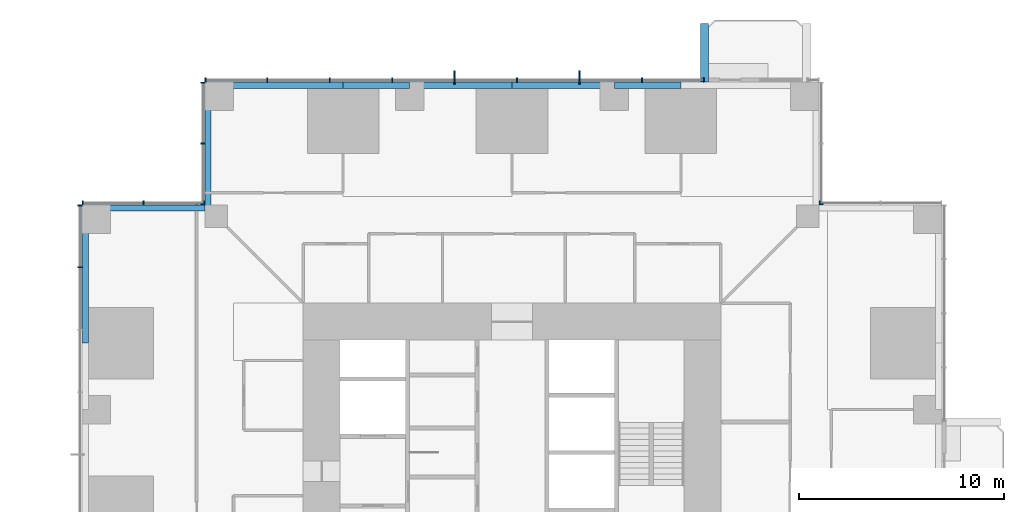
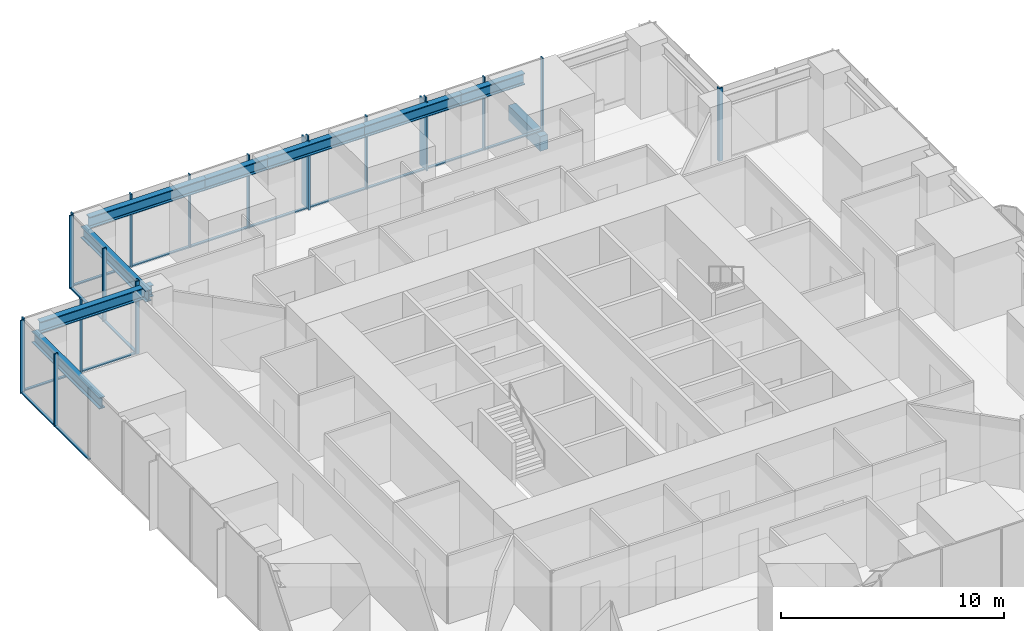
# One storey, part 5 of 18: 35 members, 9 beams, 6 elements without a shape of their own.
"""IFC4 building model written with IfcOpenShell, lengths in metres."""

import ifcopenshell
import ifcopenshell.guid

model = None  # the IFC model being written
_history = None  # IfcOwnerHistory: only IFC2X3 demands one
_inside = {}  # id of a spatial element -> (the spatial element, [elements in it])
_under = {}  # id of a project, library or spatial element -> (it, [spatial elements below it])
_declared = {}  # id of a project -> (the project, [libraries it declares])
_typed = {}  # id of a type object -> (the type object, [elements of that type])
_made_of = {}  # id of a material, layer set ... -> (it, [elements and type objects made of it])


def new_model(schema):
    """Start an empty IFC model of exactly this schema.

    Asked for "IFC4X3", IfcOpenShell would pick the latest addendum, in which some entities
    have other attributes; the version numbers below select the first issue.
    IFC2X3 requires an IfcOwnerHistory on every rooted entity: one is made here for all.
    """
    global model, _history
    if schema == "IFC4X3":
        model = ifcopenshell.file(schema_version=(4, 3, 0, 0))
    else:
        model = ifcopenshell.file(schema=schema)
    _inside.clear()
    _under.clear()
    _declared.clear()
    _typed.clear()
    _made_of.clear()
    _history = None
    if model.schema == "IFC2X3":
        org = make("IfcOrganization", Name="unknown")
        user = make(
            "IfcPersonAndOrganization",
            ThePerson=make("IfcPerson", FamilyName="unknown"),
            TheOrganization=org,
        )
        app = make(
            "IfcApplication",
            ApplicationDeveloper=org,
            Version="unknown",
            ApplicationFullName="unknown",
            ApplicationIdentifier="unknown",
        )
        _history = make(
            "IfcOwnerHistory",
            OwningUser=user,
            OwningApplication=app,
            ChangeAction="ADDED",
            CreationDate=0,
        )
    return model


def make(cls, **values):
    """One entity of the class cls with the attributes given. An attribute that is None is left unset."""
    return model.create_entity(
        cls, **{name: value for name, value in values.items() if value is not None}
    )


def rooted(cls, **values):
    """An entity with a GlobalId (a new one), such as an element, a storey or a relation."""
    return make(cls, GlobalId=ifcopenshell.guid.new(), OwnerHistory=_history, **values)


def si_unit(unit_type, name, prefix=None):
    """IfcSIUnit, for example si_unit("LENGTHUNIT", "METRE", prefix="MILLI")."""
    return make("IfcSIUnit", UnitType=unit_type, Prefix=prefix, Name=name)


def assignment(units):
    """IfcUnitAssignment: the units of a project."""
    return None if units is None else make("IfcUnitAssignment", Units=units)


def point(xyz):
    """IfcCartesianPoint."""
    return None if xyz is None else make("IfcCartesianPoint", Coordinates=xyz)


def direction(xyz):
    """IfcDirection."""
    return None if xyz is None else make("IfcDirection", DirectionRatios=xyz)


def frame(location, z_axis=None, x_axis=None):
    """IfcAxis2Placement3D, a coordinate frame: its origin and axes. An axis left out is left unset."""
    return make(
        "IfcAxis2Placement3D",
        Location=point(location),
        Axis=direction(z_axis),
        RefDirection=direction(x_axis),
    )


def frame_2d(location, x_axis=None):
    """IfcAxis2Placement2D, a coordinate frame in the plane: its origin and x axis."""
    return make(
        "IfcAxis2Placement2D", Location=point(location), RefDirection=direction(x_axis)
    )


def origin():
    """The frame at (0, 0, 0) with its axes left unset."""
    return frame((0.0, 0.0, 0.0))


def origin_2d():
    """The frame at (0, 0) in the plane with its x axis left unset."""
    return frame_2d((0.0, 0.0))


def place(relative_to, where):
    """IfcLocalPlacement: puts the frame where relative to a parent placement (None: the world)."""
    return make(
        "IfcLocalPlacement", PlacementRelTo=relative_to, RelativePlacement=where
    )


def context(
    kind, dimensions, precision=None, world=None, true_north=None, identifier=None
):
    """IfcGeometricRepresentationContext, for example the 3D "Model" context."""
    return make(
        "IfcGeometricRepresentationContext",
        ContextIdentifier=identifier,
        ContextType=kind,
        CoordinateSpaceDimension=dimensions,
        Precision=precision,
        WorldCoordinateSystem=world,
        TrueNorth=true_north,
    )


def subcontext(parent, identifier, kind, view, scale=None):
    """IfcGeometricRepresentationSubContext, for example "Body" below "Model"."""
    return make(
        "IfcGeometricRepresentationSubContext",
        ContextIdentifier=identifier,
        ContextType=kind,
        ParentContext=parent,
        TargetScale=scale,
        TargetView=view,
    )


def project(units=None, contexts=None):
    """IfcProject with its units and contexts."""
    return rooted(
        "IfcProject",
        Name="project",
        RepresentationContexts=contexts,
        UnitsInContext=assignment(units),
    )


def spatial(cls, under=None, at=None, **own):
    """A site, building, storey or space (cls), placed at a placement, below another one or the project."""
    s = rooted(cls, ObjectPlacement=at, **own)
    if under is not None:
        _under.setdefault(under.id(), (under, []))[1].append(s)
    return s


def profile(cls, at=None, kind="AREA", **sizes):
    """A parametric profile (cls). Its sizes go by their IFC names, for example OverallWidth=200.0."""
    return make(cls, ProfileType=kind, Position=at, **sizes)


def rectangle(**sizes):
    """IfcRectangleProfileDef."""
    return profile("IfcRectangleProfileDef", **sizes)


def i_section(**sizes):
    """IfcIShapeProfileDef."""
    return profile("IfcIShapeProfileDef", **sizes)


def extrude(swept, where, along, depth):
    """IfcExtrudedAreaSolid: the profile swept, set in the frame where, extruded along a direction by depth."""
    return make(
        "IfcExtrudedAreaSolid",
        SweptArea=swept,
        Position=where,
        ExtrudedDirection=direction(along),
        Depth=depth,
    )


def shape(context_of_items, identifier, shape_type, items):
    """IfcShapeRepresentation: the items that make up one representation, for example the "Body"."""
    return make(
        "IfcShapeRepresentation",
        ContextOfItems=context_of_items,
        RepresentationIdentifier=identifier,
        RepresentationType=shape_type,
        Items=items,
    )


def material(Name=None, Category=None):
    """IfcMaterial."""
    return make("IfcMaterial", Name=Name, Category=Category)


def material_profile(
    of_material, cross_section, Name=None, Category=None, Priority=None
):
    """IfcMaterialProfile: a cross section and its material."""
    return make(
        "IfcMaterialProfile",
        Name=Name,
        Material=of_material,
        Profile=cross_section,
        Priority=Priority,
        Category=Category,
    )


def profile_set(profiles, Name=None, composite=None):
    """IfcMaterialProfileSet."""
    return make(
        "IfcMaterialProfileSet",
        Name=Name,
        MaterialProfiles=profiles,
        CompositeProfile=composite,
    )


def made_of(thing, what):
    """Note that an element or type object is made of a material, layer set ...; save() writes the relation."""
    if what is not None:
        _made_of.setdefault(what.id(), (what, []))[1].append(thing)
    return thing


def type_object(cls, material=None, **own):
    """A type object (cls), such as IfcWallType, which elements share."""
    return made_of(rooted(cls, **own), material)


def element(
    cls,
    number,
    at=None,
    inside=None,
    cuts=None,
    type_object=None,
    material=None,
    context=None,
    identifier="Body",
    shape_type=None,
    held_by="IfcProductDefinitionShape",
    body=None,
    shapes=None,
    **own,
):
    """One element of the class cls, such as IfcWall. Its Tag is "e" and its number.

    at: its placement. inside: the storey or other place that contains it. cuts: it is an
    opening in that element (IfcRelVoidsElement). A single representation is given by context,
    identifier, shape_type and body (its items); several are given by shapes. held_by: the class
    of the entity that holds the representations. save() writes the other relations.
    """
    e = rooted(cls, Tag="e%d" % number, ObjectPlacement=at, **own)
    if body is not None:
        shapes = [shape(context, identifier, shape_type, body)]
    if shapes is not None:
        e.Representation = make(held_by, Representations=shapes)
    if inside is not None:
        _inside.setdefault(inside.id(), (inside, []))[1].append(e)
    if cuts is not None:
        rooted(
            "IfcRelVoidsElement", RelatingBuildingElement=cuts, RelatedOpeningElement=e
        )
    if type_object is not None:
        _typed.setdefault(type_object.id(), (type_object, []))[1].append(e)
    return made_of(e, material)


def aggregate(whole, parts):
    """IfcRelAggregates: a whole, such as a stair, and the parts it consists of."""
    return rooted("IfcRelAggregates", RelatingObject=whole, RelatedObjects=parts)


def save(model, path):
    """Write the relations noted so far, then the file.

    IfcRelAggregates (storeys below a building ...), IfcRelContainedInSpatialStructure (elements
    in a storey), IfcRelDefinesByType, IfcRelAssociatesMaterial and IfcRelDeclares: one each for
    every whole, place, type object, material and project.
    """
    for whole, parts in _under.values():
        aggregate(whole, parts)
    for where, things in _inside.values():
        rooted(
            "IfcRelContainedInSpatialStructure",
            RelatedElements=things,
            RelatingStructure=where,
        )
    for kind, things in _typed.values():
        rooted("IfcRelDefinesByType", RelatedObjects=things, RelatingType=kind)
    for what, things in _made_of.values():
        rooted("IfcRelAssociatesMaterial", RelatedObjects=things, RelatingMaterial=what)
    for by, libraries in _declared.values():
        rooted("IfcRelDeclares", RelatingContext=by, RelatedDefinitions=libraries)
    model.write(path)


model = new_model("IFC4")

# Units and contexts
model_context = context("Model", 3, precision=1e-05, world=origin(), true_north=direction((0.0, 1.0)))
body_context = subcontext(model_context, "Body", "Model", "MODEL_VIEW")
ifc_project = project(units=[si_unit("LENGTHUNIT", "METRE"), si_unit("AREAUNIT", "SQUARE_METRE"), si_unit("VOLUMEUNIT", "CUBIC_METRE"), si_unit("PLANEANGLEUNIT", "RADIAN"), si_unit("MASSUNIT", "GRAM", prefix="KILO")], contexts=[model_context])

# Site, building, storey
site_placement = place(None, origin())
site = spatial("IfcSite", under=ifc_project, at=site_placement, CompositionType="ELEMENT")
building_placement = place(site_placement, origin())
building = spatial("IfcBuilding", under=site, at=building_placement, Name="Svetlomir Tower", CompositionType="ELEMENT")
storey_placement = place(building_placement, frame((0.0, 0.0, 46.5)))
storey = spatial("IfcBuildingStorey", under=building, at=storey_placement, Name="L10", CompositionType="ELEMENT", Elevation=46.5)

# Beam
ifc_material_1 = material(Name="Concrete C60/75", Category="concrete")
ifc_material_profile_1 = material_profile(ifc_material_1, rectangle(XDim=0.39990234375, YDim=0.800048828125, at=origin_2d()), Name="RC 400x800")
ifc_profile_set_1 = profile_set([ifc_material_profile_1], Name="Concrete C60/75")
beam_type_1 = type_object("IfcBeamType", Name="BALCONY RIB RC 400x800", PredefinedType="BEAM", material=ifc_profile_set_1)
beam_1_placement = place(storey_placement, frame((30.39990234375, 42.0, -0.64990234375), z_axis=(0.0, 1.0, 0.0), x_axis=(-1.0, 0.0, 0.0)))
element("IfcBeam", 1, at=beam_1_placement, inside=storey, type_object=beam_type_1, Name="Balcony rib N 1 L10", PredefinedType="BEAM", context=body_context, shape_type="SweptSolid", body=[
    extrude(rectangle(XDim=0.39990234375, YDim=0.800048828125, at=origin_2d()), origin(), (0.0, 0.0, 1.0), 2.85009765625),
])

# Curtain wall, members
ifc_material_2 = material(Name="Bronze anodised aluminium curtain wall", Category="aluminium")
curtain_wall_type = type_object("IfcCurtainWallType", Name="CURTAIN WALL CW1 TOWER OFFICE", PredefinedType="NOTDEFINED", material=ifc_material_2)
curtain_wall_1_placement = place(storey_placement, origin())
curtain_wall_1 = element("IfcCurtainWall", 2, at=curtain_wall_1_placement, inside=storey, type_object=curtain_wall_type, Name="Curtain wall CW1 L10", PredefinedType="NOTDEFINED")
ifc_material_3 = material(Name="Bronze anodised aluminium", Category="aluminium")
ifc_material_profile_2 = material_profile(ifc_material_3, rectangle(XDim=0.080078125, YDim=0.64990234375, at=origin_2d()), Name="FIN 80x650")
ifc_profile_set_2 = profile_set([ifc_material_profile_2], Name="Bronze anodised aluminium 6063-T6")
member_type_1 = type_object("IfcMemberType", Name="BRONZE FIN 80x650", PredefinedType="USERDEFINED", material=ifc_profile_set_2)
member_1_placement = place(storey_placement, frame((24.300048828125, 42.22509765625, 0.0), z_axis=(0.0, 0.0, 1.0), x_axis=(1.0, 0.0, 0.0)))
member_1 = element("IfcMember", 3, at=member_1_placement, type_object=member_type_1, Name="Bronze fin L10", ObjectType="FIN", PredefinedType="USERDEFINED", context=body_context, shape_type="SweptSolid", body=[
    extrude(rectangle(XDim=0.080078125, YDim=0.64990234375, at=origin_2d()), origin(), (0.0, 0.0, 1.0), 3.75),
])
member_2_placement = place(storey_placement, frame((18.199951171875, 42.22509765625, 0.0), z_axis=(0.0, 0.0, 1.0), x_axis=(1.0, 0.0, 0.0)))
member_2 = element("IfcMember", 4, at=member_2_placement, type_object=member_type_1, Name="Bronze fin L10", ObjectType="FIN", PredefinedType="USERDEFINED", context=body_context, shape_type="SweptSolid", body=[
    extrude(rectangle(XDim=0.080078125, YDim=0.64990234375, at=origin_2d()), origin(), (0.0, 0.0, 1.0), 3.75),
])

# Curtain wall, member
curtain_wall_2_placement = place(storey_placement, origin())
curtain_wall_2 = element("IfcCurtainWall", 5, at=curtain_wall_2_placement, inside=storey, type_object=curtain_wall_type, Name="Curtain wall CW1 L10", PredefinedType="NOTDEFINED")
ifc_material_4 = material(Name="Bronze anodised aluminium", Category="aluminium")
ifc_material_profile_3 = material_profile(ifc_material_4, rectangle(XDim=0.06494140625, YDim=0.199951171875, at=origin_2d()), Name="AL 65x200")
ifc_profile_set_3 = profile_set([ifc_material_profile_3], Name="Bronze anodised aluminium 6063-T6")
member_type_2 = type_object("IfcMemberType", Name="CW1 MULLION 65x200", PredefinedType="MULLION", material=ifc_profile_set_3)
member_3_placement = place(storey_placement, frame((36.032470703125, 36.10009765625, 0.0), z_axis=(0.0, 0.0, 1.0), x_axis=(-1.0, 0.0, 0.0)))
member_3 = element("IfcMember", 6, at=member_3_placement, type_object=member_type_2, Name="CW1 mullion 3", PredefinedType="MULLION", context=body_context, shape_type="SweptSolid", body=[
    extrude(rectangle(XDim=0.06494140625, YDim=0.199951171875, at=origin_2d()), origin(), (0.0, 0.0, 1.0), 4.0),
])
aggregate(curtain_wall_2, [member_3])

curtain_wall_3_placement = place(storey_placement, origin())
curtain_wall_3 = element("IfcCurtainWall", 7, at=curtain_wall_3_placement, inside=storey, type_object=curtain_wall_type, Name="Curtain wall CW1 L10", PredefinedType="NOTDEFINED")
member_4_placement = place(storey_placement, frame((36.10009765625, 36.032470703125, 0.0), z_axis=(0.0, 0.0, 1.0), x_axis=(0.0, 1.0, 0.0)))
member_4 = element("IfcMember", 8, at=member_4_placement, type_object=member_type_2, Name="CW1 mullion 1", PredefinedType="MULLION", context=body_context, shape_type="SweptSolid", body=[
    extrude(rectangle(XDim=0.06494140625, YDim=0.199951171875, at=origin_2d()), origin(), (0.0, 0.0, 1.0), 4.0),
])
aggregate(curtain_wall_3, [member_4])

# Member
member_5_placement = place(storey_placement, frame((30.367431640625, 42.10009765625, 0.0), z_axis=(0.0, 0.0, 1.0), x_axis=(-1.0, 0.0, 0.0)))
member_5 = element("IfcMember", 9, at=member_5_placement, type_object=member_type_2, Name="CW1 mullion 1", PredefinedType="MULLION", context=body_context, shape_type="SweptSolid", body=[
    extrude(rectangle(XDim=0.06494140625, YDim=0.199951171875, at=origin_2d()), origin(), (0.0, 0.0, 1.0), 4.0),
])

member_6_placement = place(storey_placement, frame((27.35009765625, 42.10009765625, 0.0), z_axis=(0.0, 0.0, 1.0), x_axis=(-1.0, 0.0, 0.0)))
member_6 = element("IfcMember", 10, at=member_6_placement, type_object=member_type_2, Name="CW1 mullion 2", PredefinedType="MULLION", context=body_context, shape_type="SweptSolid", body=[
    extrude(rectangle(XDim=0.06494140625, YDim=0.199951171875, at=origin_2d()), origin(), (0.0, 0.0, 1.0), 4.0),
])

member_7_placement = place(storey_placement, frame((24.300048828125, 42.10009765625, 0.0), z_axis=(0.0, 0.0, 1.0), x_axis=(-1.0, 0.0, 0.0)))
member_7 = element("IfcMember", 11, at=member_7_placement, type_object=member_type_2, Name="CW1 mullion 3", PredefinedType="MULLION", context=body_context, shape_type="SweptSolid", body=[
    extrude(rectangle(XDim=0.06494140625, YDim=0.199951171875, at=origin_2d()), origin(), (0.0, 0.0, 1.0), 4.0),
])

member_8_placement = place(storey_placement, frame((21.25, 42.10009765625, 0.0), z_axis=(0.0, 0.0, 1.0), x_axis=(-1.0, 0.0, 0.0)))
member_8 = element("IfcMember", 12, at=member_8_placement, type_object=member_type_2, Name="CW1 mullion 4", PredefinedType="MULLION", context=body_context, shape_type="SweptSolid", body=[
    extrude(rectangle(XDim=0.06494140625, YDim=0.199951171875, at=origin_2d()), origin(), (0.0, 0.0, 1.0), 4.0),
])

member_9_placement = place(storey_placement, frame((18.199951171875, 42.10009765625, 0.0), z_axis=(0.0, 0.0, 1.0), x_axis=(-1.0, 0.0, 0.0)))
member_9 = element("IfcMember", 13, at=member_9_placement, type_object=member_type_2, Name="CW1 mullion 5", PredefinedType="MULLION", context=body_context, shape_type="SweptSolid", body=[
    extrude(rectangle(XDim=0.06494140625, YDim=0.199951171875, at=origin_2d()), origin(), (0.0, 0.0, 1.0), 4.0),
])

member_10_placement = place(storey_placement, frame((15.14990234375, 42.10009765625, 0.0), z_axis=(0.0, 0.0, 1.0), x_axis=(-1.0, 0.0, 0.0)))
member_10 = element("IfcMember", 14, at=member_10_placement, type_object=member_type_2, Name="CW1 mullion 6", PredefinedType="MULLION", context=body_context, shape_type="SweptSolid", body=[
    extrude(rectangle(XDim=0.06494140625, YDim=0.199951171875, at=origin_2d()), origin(), (0.0, 0.0, 1.0), 4.0),
])

member_11_placement = place(storey_placement, frame((12.10009765625, 42.10009765625, 0.0), z_axis=(0.0, 0.0, 1.0), x_axis=(-1.0, 0.0, 0.0)))
member_11 = element("IfcMember", 15, at=member_11_placement, type_object=member_type_2, Name="CW1 mullion 7", PredefinedType="MULLION", context=body_context, shape_type="SweptSolid", body=[
    extrude(rectangle(XDim=0.06494140625, YDim=0.199951171875, at=origin_2d()), origin(), (0.0, 0.0, 1.0), 4.0),
])

member_12_placement = place(storey_placement, frame((9.050048828125, 42.10009765625, 0.0), z_axis=(0.0, 0.0, 1.0), x_axis=(-1.0, 0.0, 0.0)))
member_12 = element("IfcMember", 16, at=member_12_placement, type_object=member_type_2, Name="CW1 mullion 8", PredefinedType="MULLION", context=body_context, shape_type="SweptSolid", body=[
    extrude(rectangle(XDim=0.06494140625, YDim=0.199951171875, at=origin_2d()), origin(), (0.0, 0.0, 1.0), 4.0),
])

member_13_placement = place(storey_placement, frame((6.032470703125, 42.10009765625, 0.0), z_axis=(0.0, 0.0, 1.0), x_axis=(-1.0, 0.0, 0.0)))
member_13 = element("IfcMember", 17, at=member_13_placement, type_object=member_type_2, Name="CW1 mullion 9", PredefinedType="MULLION", context=body_context, shape_type="SweptSolid", body=[
    extrude(rectangle(XDim=0.06494140625, YDim=0.199951171875, at=origin_2d()), origin(), (0.0, 0.0, 1.0), 4.0),
])

# Curtain wall, members
curtain_wall_4_placement = place(storey_placement, origin())
curtain_wall_4 = element("IfcCurtainWall", 18, at=curtain_wall_4_placement, inside=storey, type_object=curtain_wall_type, Name="Curtain wall CW1 L10", PredefinedType="NOTDEFINED")
member_14_placement = place(storey_placement, frame((5.89990234375, 41.967529296875, 0.0), z_axis=(0.0, 0.0, 1.0), x_axis=(0.0, -1.0, 0.0)))
member_14 = element("IfcMember", 19, at=member_14_placement, type_object=member_type_2, Name="CW1 mullion 1", PredefinedType="MULLION", context=body_context, shape_type="SweptSolid", body=[
    extrude(rectangle(XDim=0.06494140625, YDim=0.199951171875, at=origin_2d()), origin(), (0.0, 0.0, 1.0), 4.0),
])
member_15_placement = place(storey_placement, frame((5.89990234375, 39.0, 0.0), z_axis=(0.0, 0.0, 1.0), x_axis=(0.0, -1.0, 0.0)))
member_15 = element("IfcMember", 20, at=member_15_placement, type_object=member_type_2, Name="CW1 mullion 2", PredefinedType="MULLION", context=body_context, shape_type="SweptSolid", body=[
    extrude(rectangle(XDim=0.06494140625, YDim=0.199951171875, at=origin_2d()), origin(), (0.0, 0.0, 1.0), 4.0),
])
member_16_placement = place(storey_placement, frame((5.89990234375, 36.032470703125, 0.0), z_axis=(0.0, 0.0, 1.0), x_axis=(0.0, -1.0, 0.0)))
member_16 = element("IfcMember", 21, at=member_16_placement, type_object=member_type_2, Name="CW1 mullion 3", PredefinedType="MULLION", context=body_context, shape_type="SweptSolid", body=[
    extrude(rectangle(XDim=0.06494140625, YDim=0.199951171875, at=origin_2d()), origin(), (0.0, 0.0, 1.0), 4.0),
])

curtain_wall_5_placement = place(storey_placement, origin())
curtain_wall_5 = element("IfcCurtainWall", 22, at=curtain_wall_5_placement, inside=storey, type_object=curtain_wall_type, Name="Curtain wall CW1 L10", PredefinedType="NOTDEFINED")
member_17_placement = place(storey_placement, frame((5.967529296875, 36.10009765625, 0.0), z_axis=(0.0, 0.0, 1.0), x_axis=(-1.0, 0.0, 0.0)))
member_17 = element("IfcMember", 23, at=member_17_placement, type_object=member_type_2, Name="CW1 mullion 1", PredefinedType="MULLION", context=body_context, shape_type="SweptSolid", body=[
    extrude(rectangle(XDim=0.06494140625, YDim=0.199951171875, at=origin_2d()), origin(), (0.0, 0.0, 1.0), 4.0),
])
member_18_placement = place(storey_placement, frame((3.0, 36.10009765625, 0.0), z_axis=(0.0, 0.0, 1.0), x_axis=(-1.0, 0.0, 0.0)))
member_18 = element("IfcMember", 24, at=member_18_placement, type_object=member_type_2, Name="CW1 mullion 2", PredefinedType="MULLION", context=body_context, shape_type="SweptSolid", body=[
    extrude(rectangle(XDim=0.06494140625, YDim=0.199951171875, at=origin_2d()), origin(), (0.0, 0.0, 1.0), 4.0),
])
member_19_placement = place(storey_placement, frame((0.032470703125, 36.10009765625, 0.0), z_axis=(0.0, 0.0, 1.0), x_axis=(-1.0, 0.0, 0.0)))
member_19 = element("IfcMember", 25, at=member_19_placement, type_object=member_type_2, Name="CW1 mullion 3", PredefinedType="MULLION", context=body_context, shape_type="SweptSolid", body=[
    extrude(rectangle(XDim=0.06494140625, YDim=0.199951171875, at=origin_2d()), origin(), (0.0, 0.0, 1.0), 4.0),
])

curtain_wall_6_placement = place(storey_placement, origin())
curtain_wall_6 = element("IfcCurtainWall", 26, at=curtain_wall_6_placement, inside=storey, type_object=curtain_wall_type, Name="Curtain wall CW1 L10", PredefinedType="NOTDEFINED")
member_20_placement = place(storey_placement, frame((-0.10009765625, 35.967529296875, 0.0), z_axis=(0.0, 0.0, 1.0), x_axis=(0.0, -1.0, 0.0)))
member_20 = element("IfcMember", 27, at=member_20_placement, type_object=member_type_2, Name="CW1 mullion 1", PredefinedType="MULLION", context=body_context, shape_type="SweptSolid", body=[
    extrude(rectangle(XDim=0.06494140625, YDim=0.199951171875, at=origin_2d()), origin(), (0.0, 0.0, 1.0), 4.0),
])
member_21_placement = place(storey_placement, frame((-0.10009765625, 32.949951171875, 0.0), z_axis=(0.0, 0.0, 1.0), x_axis=(0.0, -1.0, 0.0)))
member_21 = element("IfcMember", 28, at=member_21_placement, type_object=member_type_2, Name="CW1 mullion 2", PredefinedType="MULLION", context=body_context, shape_type="SweptSolid", body=[
    extrude(rectangle(XDim=0.06494140625, YDim=0.199951171875, at=origin_2d()), origin(), (0.0, 0.0, 1.0), 4.0),
])

# Member
ifc_material_5 = material(Name="Bronze anodised aluminium", Category="aluminium")
ifc_material_profile_4 = material_profile(ifc_material_5, rectangle(XDim=0.139892578125, YDim=0.06494140625, at=origin_2d()), Name="AL 140x65")
ifc_profile_set_4 = profile_set([ifc_material_profile_4], Name="Bronze anodised aluminium 6063-T6")
member_type_3 = type_object("IfcMemberType", Name="CW1 TRANSOM 65x140", PredefinedType="USERDEFINED", material=ifc_profile_set_4)
member_22_placement = place(storey_placement, frame((30.3349609375, 42.10009765625, 0.032470703125), z_axis=(-1.0, 0.0, 0.0), x_axis=(0.0, -1.0, 0.0)))
member_22 = element("IfcMember", 29, at=member_22_placement, type_object=member_type_3, Name="CW1 transom 1.1", ObjectType="TRANSOM", PredefinedType="USERDEFINED", context=body_context, shape_type="SweptSolid", body=[
    extrude(rectangle(XDim=0.139892578125, YDim=0.06494140625, at=origin_2d()), origin(), (0.0, 0.0, 1.0), 2.952392578125),
])

member_23_placement = place(storey_placement, frame((27.3173828125, 42.10009765625, 0.032470703125), z_axis=(-1.0, 0.0, 0.0), x_axis=(0.0, -1.0, 0.0)))
member_23 = element("IfcMember", 30, at=member_23_placement, type_object=member_type_3, Name="CW1 transom 2.1", ObjectType="TRANSOM", PredefinedType="USERDEFINED", context=body_context, shape_type="SweptSolid", body=[
    extrude(rectangle(XDim=0.139892578125, YDim=0.06494140625, at=origin_2d()), origin(), (0.0, 0.0, 1.0), 2.98486328125),
])

member_24_placement = place(storey_placement, frame((24.267578125, 42.10009765625, 0.032470703125), z_axis=(-1.0, 0.0, 0.0), x_axis=(0.0, -1.0, 0.0)))
member_24 = element("IfcMember", 31, at=member_24_placement, type_object=member_type_3, Name="CW1 transom 3.1", ObjectType="TRANSOM", PredefinedType="USERDEFINED", context=body_context, shape_type="SweptSolid", body=[
    extrude(rectangle(XDim=0.139892578125, YDim=0.06494140625, at=origin_2d()), origin(), (0.0, 0.0, 1.0), 2.985107421875),
])

member_25_placement = place(storey_placement, frame((21.217529296875, 42.10009765625, 0.032470703125), z_axis=(-1.0, 0.0, 0.0), x_axis=(0.0, -1.0, 0.0)))
member_25 = element("IfcMember", 32, at=member_25_placement, type_object=member_type_3, Name="CW1 transom 4.1", ObjectType="TRANSOM", PredefinedType="USERDEFINED", context=body_context, shape_type="SweptSolid", body=[
    extrude(rectangle(XDim=0.139892578125, YDim=0.06494140625, at=origin_2d()), origin(), (0.0, 0.0, 1.0), 2.985107421875),
])

member_26_placement = place(storey_placement, frame((18.16748046875, 42.10009765625, 0.032470703125), z_axis=(-1.0, 0.0, 0.0), x_axis=(0.0, -1.0, 0.0)))
member_26 = element("IfcMember", 33, at=member_26_placement, type_object=member_type_3, Name="CW1 transom 5.1", ObjectType="TRANSOM", PredefinedType="USERDEFINED", context=body_context, shape_type="SweptSolid", body=[
    extrude(rectangle(XDim=0.139892578125, YDim=0.06494140625, at=origin_2d()), origin(), (0.0, 0.0, 1.0), 2.98486328125),
])

member_27_placement = place(storey_placement, frame((15.117431640625, 42.10009765625, 0.032470703125), z_axis=(-1.0, 0.0, 0.0), x_axis=(0.0, -1.0, 0.0)))
member_27 = element("IfcMember", 34, at=member_27_placement, type_object=member_type_3, Name="CW1 transom 6.1", ObjectType="TRANSOM", PredefinedType="USERDEFINED", context=body_context, shape_type="SweptSolid", body=[
    extrude(rectangle(XDim=0.139892578125, YDim=0.06494140625, at=origin_2d()), origin(), (0.0, 0.0, 1.0), 2.98486328125),
])

member_28_placement = place(storey_placement, frame((12.0673828125, 42.10009765625, 0.032470703125), z_axis=(-1.0, 0.0, 0.0), x_axis=(0.0, -1.0, 0.0)))
member_28 = element("IfcMember", 35, at=member_28_placement, type_object=member_type_3, Name="CW1 transom 7.1", ObjectType="TRANSOM", PredefinedType="USERDEFINED", context=body_context, shape_type="SweptSolid", body=[
    extrude(rectangle(XDim=0.139892578125, YDim=0.06494140625, at=origin_2d()), origin(), (0.0, 0.0, 1.0), 2.98486328125),
])

member_29_placement = place(storey_placement, frame((9.017578125, 42.10009765625, 0.032470703125), z_axis=(-1.0, 0.0, 0.0), x_axis=(0.0, -1.0, 0.0)))
member_29 = element("IfcMember", 36, at=member_29_placement, type_object=member_type_3, Name="CW1 transom 8.1", ObjectType="TRANSOM", PredefinedType="USERDEFINED", context=body_context, shape_type="SweptSolid", body=[
    extrude(rectangle(XDim=0.139892578125, YDim=0.06494140625, at=origin_2d()), origin(), (0.0, 0.0, 1.0), 2.95263671875),
])

aggregate(curtain_wall_1, [member_5, member_6, member_7, member_8, member_9, member_10, member_11, member_12, member_13, member_22, member_23, member_24, member_25, member_26, member_27, member_28, member_29, member_1, member_2])

member_30_placement = place(storey_placement, frame((5.89990234375, 41.93505859375, 0.032470703125), z_axis=(0.0, -1.0, 0.0), x_axis=(1.0, 0.0, 0.0)))
member_30 = element("IfcMember", 37, at=member_30_placement, type_object=member_type_3, Name="CW1 transom 1.1", ObjectType="TRANSOM", PredefinedType="USERDEFINED", context=body_context, shape_type="SweptSolid", body=[
    extrude(rectangle(XDim=0.139892578125, YDim=0.06494140625, at=origin_2d()), origin(), (0.0, 0.0, 1.0), 2.902587890625),
])

member_31_placement = place(storey_placement, frame((5.89990234375, 38.967529296875, 0.032470703125), z_axis=(0.0, -1.0, 0.0), x_axis=(1.0, 0.0, 0.0)))
member_31 = element("IfcMember", 38, at=member_31_placement, type_object=member_type_3, Name="CW1 transom 2.1", ObjectType="TRANSOM", PredefinedType="USERDEFINED", context=body_context, shape_type="SweptSolid", body=[
    extrude(rectangle(XDim=0.139892578125, YDim=0.06494140625, at=origin_2d()), origin(), (0.0, 0.0, 1.0), 2.902587890625),
])

aggregate(curtain_wall_4, [member_14, member_15, member_16, member_30, member_31])

member_32_placement = place(storey_placement, frame((5.93505859375, 36.10009765625, 0.032470703125), z_axis=(-1.0, 0.0, 0.0), x_axis=(0.0, -1.0, 0.0)))
member_32 = element("IfcMember", 39, at=member_32_placement, type_object=member_type_3, Name="CW1 transom 1.1", ObjectType="TRANSOM", PredefinedType="USERDEFINED", context=body_context, shape_type="SweptSolid", body=[
    extrude(rectangle(XDim=0.139892578125, YDim=0.06494140625, at=origin_2d()), origin(), (0.0, 0.0, 1.0), 2.902587890625),
])

member_33_placement = place(storey_placement, frame((2.967529296875, 36.10009765625, 0.032470703125), z_axis=(-1.0, 0.0, 0.0), x_axis=(0.0, -1.0, 0.0)))
member_33 = element("IfcMember", 40, at=member_33_placement, type_object=member_type_3, Name="CW1 transom 2.1", ObjectType="TRANSOM", PredefinedType="USERDEFINED", context=body_context, shape_type="SweptSolid", body=[
    extrude(rectangle(XDim=0.139892578125, YDim=0.06494140625, at=origin_2d()), origin(), (0.0, 0.0, 1.0), 2.902587890625),
])

aggregate(curtain_wall_5, [member_17, member_18, member_19, member_32, member_33])

member_34_placement = place(storey_placement, frame((-0.10009765625, 35.93505859375, 0.032470703125), z_axis=(0.0, -1.0, 0.0), x_axis=(1.0, 0.0, 0.0)))
member_34 = element("IfcMember", 41, at=member_34_placement, type_object=member_type_3, Name="CW1 transom 1.1", ObjectType="TRANSOM", PredefinedType="USERDEFINED", context=body_context, shape_type="SweptSolid", body=[
    extrude(rectangle(XDim=0.139892578125, YDim=0.06494140625, at=origin_2d()), origin(), (0.0, 0.0, 1.0), 2.95263671875),
])

member_35_placement = place(storey_placement, frame((-0.10009765625, 32.91748046875, 0.032470703125), z_axis=(0.0, -1.0, 0.0), x_axis=(1.0, 0.0, 0.0)))
member_35 = element("IfcMember", 42, at=member_35_placement, type_object=member_type_3, Name="CW1 transom 2.1", ObjectType="TRANSOM", PredefinedType="USERDEFINED", context=body_context, shape_type="SweptSolid", body=[
    extrude(rectangle(XDim=0.139892578125, YDim=0.06494140625, at=origin_2d()), origin(), (0.0, 0.0, 1.0), 2.98486328125),
])

aggregate(curtain_wall_6, [member_20, member_21, member_34, member_35])

# Beams
ifc_material_6 = material(Name="Steel S355", Category="steel")
ifc_material_profile_5 = material_profile(ifc_material_6, i_section(OverallWidth=0.304931640625, OverallDepth=0.6201171875, WebThickness=0.02099609375, FlangeThickness=0.0400390625, FilletRadius=0.027099609375, at=origin_2d()), Name="HEM 600")
ifc_profile_set_5 = profile_set([ifc_material_profile_5], Name="Steel S355")
beam_type_2 = type_object("IfcBeamType", Name="EDGE BEAM HEM 600", PredefinedType="SPANDREL", material=ifc_profile_set_5)
beam_2_placement = place(storey_placement, frame((6.699951171875, 41.847412109375, 3.43994140625), z_axis=(1.0, 0.0, 0.0), x_axis=(0.0, 1.0, 0.0)))
element("IfcBeam", 43, at=beam_2_placement, inside=storey, type_object=beam_type_2, Name="Edge beam 6/42 to 11/42 under L11", PredefinedType="SPANDREL", context=body_context, shape_type="SweptSolid", body=[
    extrude(i_section(OverallWidth=0.304931640625, OverallDepth=0.6201171875, WebThickness=0.02099609375, FlangeThickness=0.0400390625, FilletRadius=0.027099609375, at=origin_2d()), origin(), (0.0, 0.0, 1.0), 6.050048828125),
])
beam_3_placement = place(storey_placement, frame((12.75, 41.847412109375, 3.43994140625), z_axis=(1.0, 0.0, 0.0), x_axis=(0.0, 1.0, 0.0)))
element("IfcBeam", 44, at=beam_3_placement, inside=storey, type_object=beam_type_2, Name="Edge beam 11/42 to 16/42 under L11", PredefinedType="SPANDREL", context=body_context, shape_type="SweptSolid", body=[
    extrude(i_section(OverallWidth=0.304931640625, OverallDepth=0.6201171875, WebThickness=0.02099609375, FlangeThickness=0.0400390625, FilletRadius=0.027099609375, at=origin_2d()), origin(), (0.0, 0.0, 1.0), 3.25),
])
for number, where, z_axis, x_axis, name in (
    (45, (16.0, 41.847412109375, 3.43994140625), (1.0, 0.0, 0.0), (0.0, 1.0, 0.0), "Edge beam 16/42 to 21/42 under L11"),
    (46, (21.0, 41.847412109375, 3.43994140625), (1.0, 0.0, 0.0), (0.0, 1.0, 0.0), "Edge beam 21/42 to 26/42 under L11"),
):
    element("IfcBeam", number, at=place(storey_placement, frame(where, z_axis=z_axis, x_axis=x_axis)), inside=storey, type_object=beam_type_2, Name=name, PredefinedType="SPANDREL", context=body_context, shape_type="SweptSolid", body=[
        extrude(i_section(OverallWidth=0.304931640625, OverallDepth=0.6201171875, WebThickness=0.02099609375, FlangeThickness=0.0400390625, FilletRadius=0.027099609375, at=origin_2d()), origin(), (0.0, 0.0, 1.0), 5.0),
    ])
beam_4_placement = place(storey_placement, frame((26.0, 41.847412109375, 3.43994140625), z_axis=(1.0, 0.0, 0.0), x_axis=(0.0, 1.0, 0.0)))
element("IfcBeam", 47, at=beam_4_placement, inside=storey, type_object=beam_type_2, Name="Edge beam 26/42 to 31/42 under L11", PredefinedType="SPANDREL", context=body_context, shape_type="SweptSolid", body=[
    extrude(i_section(OverallWidth=0.304931640625, OverallDepth=0.6201171875, WebThickness=0.02099609375, FlangeThickness=0.0400390625, FilletRadius=0.027099609375, at=origin_2d()), origin(), (0.0, 0.0, 1.0), 3.25),
])
beam_5_placement = place(storey_placement, frame((0.152587890625, 29.25, 3.43994140625), z_axis=(0.0, 1.0, 0.0), x_axis=(-1.0, 0.0, 0.0)))
element("IfcBeam", 48, at=beam_5_placement, inside=storey, type_object=beam_type_2, Name="Edge beam 0/31 to 0/36 under L11", PredefinedType="SPANDREL", context=body_context, shape_type="SweptSolid", body=[
    extrude(i_section(OverallWidth=0.304931640625, OverallDepth=0.6201171875, WebThickness=0.02099609375, FlangeThickness=0.0400390625, FilletRadius=0.027099609375, at=origin_2d()), origin(), (0.0, 0.0, 1.0), 6.050048828125),
])
for number, where, z_axis, x_axis, name in (
    (49, (6.152587890625, 41.300048828125, 3.43994140625), (0.0, -1.0, 0.0), (1.0, 0.0, 0.0), "Edge beam 6/42 to 6/36 under L11"),
    (50, (0.699951171875, 35.847412109375, 3.43994140625), (1.0, 0.0, 0.0), (0.0, 1.0, 0.0), "Edge beam 0/36 to 6/36 under L11"),
):
    element("IfcBeam", number, at=place(storey_placement, frame(where, z_axis=z_axis, x_axis=x_axis)), inside=storey, type_object=beam_type_2, Name=name, PredefinedType="SPANDREL", context=body_context, shape_type="SweptSolid", body=[
        extrude(i_section(OverallWidth=0.304931640625, OverallDepth=0.6201171875, WebThickness=0.02099609375, FlangeThickness=0.0400390625, FilletRadius=0.027099609375, at=origin_2d()), origin(), (0.0, 0.0, 1.0), 5.85009765625),
    ])

save(model, "model.ifc")
